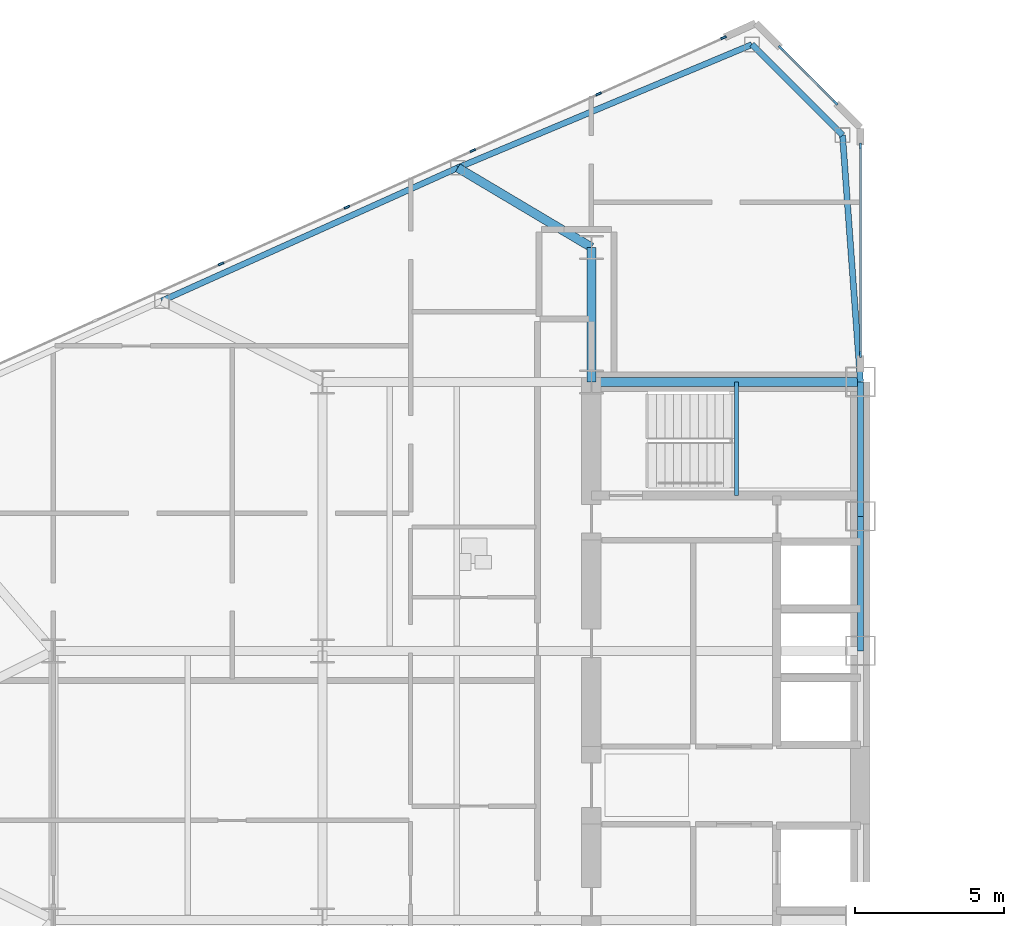
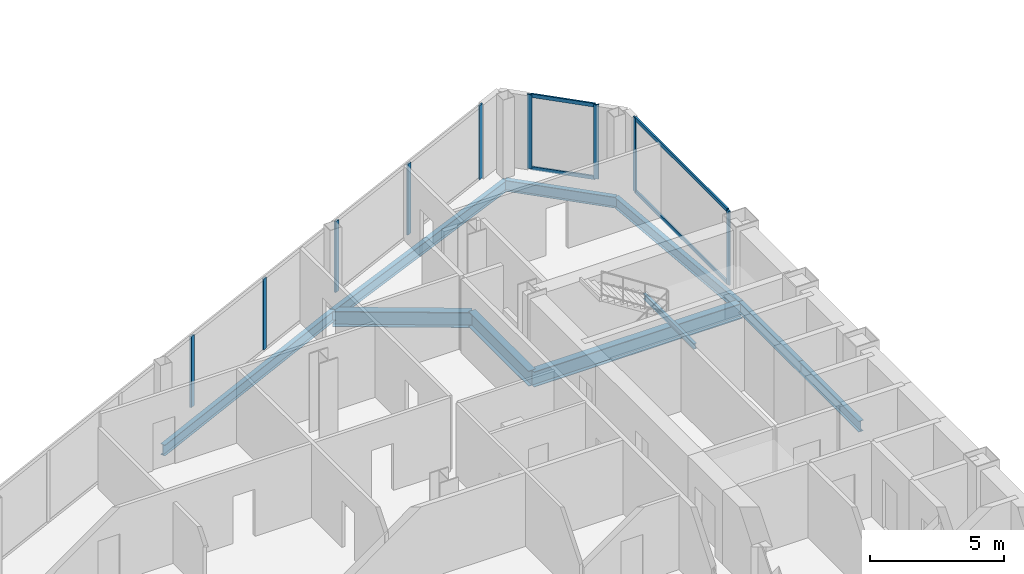
# One storey, part 9 of 27: 13 members, 10 beams, 3 elements without a shape of their own.
"""IFC4 building model written with IfcOpenShell, lengths in metres."""

from ifc_helpers import new_model, si_unit, direction, frame, origin, origin_2d, place, context, subcontext, project, spatial, rectangle, i_section, extrude, source, transform, mapped, material, layer, layer_set, material_profile, profile_set, type_object, type_shapes, element, aggregate, save


model = new_model("IFC4")

# Units and contexts
model_context = context("Model", 3, precision=1e-05, world=origin(), true_north=direction((0.0, 1.0)))
body_context = subcontext(model_context, "Body", "Model", "MODEL_VIEW")
ifc_project = project(units=[si_unit("LENGTHUNIT", "METRE"), si_unit("AREAUNIT", "SQUARE_METRE"), si_unit("VOLUMEUNIT", "CUBIC_METRE"), si_unit("PLANEANGLEUNIT", "RADIAN"), si_unit("MASSUNIT", "GRAM", prefix="KILO")], contexts=[model_context])

# Site, building, storey
site_placement = place(None, origin())
site = spatial("IfcSite", under=ifc_project, at=site_placement, CompositionType="ELEMENT")
building_placement = place(site_placement, origin())
building = spatial("IfcBuilding", under=site, at=building_placement, Name="Seokmaru Belvedere", CompositionType="ELEMENT")
storey_placement = place(building_placement, frame((0.0, 0.0, 106.800048828125)))
storey = spatial("IfcBuildingStorey", under=building, at=storey_placement, Name="L28", CompositionType="ELEMENT", Elevation=106.800048828125)

# Beams
ifc_material_1 = material(Name="Steel SM355 (355 MPa)", Category="steel")
ifc_material_profile_1 = material_profile(ifc_material_1, i_section(OverallWidth=0.199951171875, OverallDepth=0.5, WebThickness=0.010009765625, FlangeThickness=0.01611328125, at=origin_2d()), Name="H-500x200x10x16")
ifc_profile_set_1 = profile_set([ifc_material_profile_1], Name="Steel SM355 (355 MPa)")
beam_type_1 = type_object("IfcBeamType", Name="Perimeter Spandrel Beam H-500", PredefinedType="SPANDREL", material=ifc_profile_set_1)
shared_shape_1 = source(origin(), body_context, "Body", "SweptSolid", [
    extrude(i_section(OverallWidth=0.199951171875, OverallDepth=0.5, WebThickness=0.010009765625, FlangeThickness=0.01611328125, at=origin_2d()), origin(), (0.0, 0.0, 1.0), 4.5),
])
for number, where, z_axis, x_axis, name in (
    (1, (-27.5, 4.5, -0.469970703125), (0.0, 1.0, 0.0), (-1.0, 0.0, 0.0), "L28 W Portal Spine Spandrel 4"),
    (2, (-27.5, 9.0, -0.469970703125), (0.0, 1.0, 0.0), (-1.0, 0.0, 0.0), "L28 W Portal Spine Spandrel 5"),
):
    element("IfcBeam", number, at=place(storey_placement, frame(where, z_axis=z_axis, x_axis=x_axis)), inside=storey, type_object=beam_type_1, Name=name, PredefinedType="SPANDREL", context=body_context, shape_type="MappedRepresentation", body=[
        mapped(shared_shape_1, transform((0.0, 0.0, 0.0), scale=1.0)),
    ])
ifc_material_profile_2 = material_profile(ifc_material_1, i_section(OverallWidth=0.300048828125, OverallDepth=0.699951171875, WebThickness=0.012939453125, FlangeThickness=0.02392578125, at=origin_2d()), Name="H-700x300x13x24")
ifc_profile_set_2 = profile_set([ifc_material_profile_2], Name="Steel SM355 (355 MPa)")
beam_type_2 = type_object("IfcBeamType", Name="Primary Floor Girder H-700", PredefinedType="BEAM", material=ifc_profile_set_2)
shared_shape_2 = source(origin(), body_context, "Body", "SweptSolid", [
    extrude(i_section(OverallWidth=0.300048828125, OverallDepth=0.699951171875, WebThickness=0.012939453125, FlangeThickness=0.02392578125, at=origin_2d()), origin(), (0.0, 0.0, 1.0), 4.5),
])
beam_1_placement = place(storey_placement, frame((-36.5, 13.5, -0.570068359375), z_axis=(0.0, 1.0, 0.0), x_axis=(-1.0, 0.0, 0.0)))
element("IfcBeam", 3, at=beam_1_placement, inside=storey, type_object=beam_type_2, Name="L28 W Core Shoulder Girder N", PredefinedType="BEAM", context=body_context, shape_type="MappedRepresentation", body=[
    mapped(shared_shape_2, transform((0.0, 0.0, 0.0), scale=1.0)),
])
shared_shape_3 = source(origin(), body_context, "Body", "SweptSolid", [
    extrude(i_section(OverallWidth=0.300048828125, OverallDepth=0.699951171875, WebThickness=0.012939453125, FlangeThickness=0.02392578125, at=origin_2d()), origin(), (0.0, 0.0, 1.0), 9.0),
])
beam_2_placement = place(storey_placement, frame((-36.5, 13.5, -0.570068359375), z_axis=(1.0, 0.0, 0.0), x_axis=(0.0, 1.0, 0.0)))
element("IfcBeam", 4, at=beam_2_placement, inside=storey, type_object=beam_type_2, Name="L28 W Core Tie Girder 4", PredefinedType="BEAM", context=body_context, shape_type="MappedRepresentation", body=[
    mapped(shared_shape_3, transform((0.0, 0.0, 0.0), scale=1.0)),
])
shared_shape_4 = source(origin(), body_context, "Body", "SweptSolid", [
    extrude(i_section(OverallWidth=0.199951171875, OverallDepth=0.5, WebThickness=0.010009765625, FlangeThickness=0.01611328125, at=origin_2d()), origin(), (0.0, 0.0, 1.0), 10.66943359375),
])
beam_3_placement = place(storey_placement, frame((-31.13134765625, 24.782958984375, -0.469970703125), z_axis=(-0.922375393128, -0.386294750355, 0.0), x_axis=(0.386294750355, -0.922375393128, 0.0)))
element("IfcBeam", 5, at=beam_3_placement, inside=storey, type_object=beam_type_1, Name="L28 W Faceted Flank Spandrel N-1", PredefinedType="SPANDREL", context=body_context, shape_type="MappedRepresentation", body=[
    mapped(shared_shape_4, transform((0.0, 0.0, 0.0), scale=1.0)),
])
shared_shape_5 = source(origin(), body_context, "Body", "SweptSolid", [
    extrude(i_section(OverallWidth=0.199951171875, OverallDepth=0.5, WebThickness=0.010009765625, FlangeThickness=0.01611328125, at=origin_2d()), origin(), (0.0, 0.0, 1.0), 10.85888671875),
])
beam_4_placement = place(storey_placement, frame((-40.97265625, 20.661376953125, -0.469970703125), z_axis=(-0.911921505175, -0.410364677329, 0.0), x_axis=(0.410364677329, -0.911921505175, 0.0)))
element("IfcBeam", 6, at=beam_4_placement, inside=storey, type_object=beam_type_1, Name="L28 W Faceted Flank Spandrel N-2", PredefinedType="SPANDREL", context=body_context, shape_type="MappedRepresentation", body=[
    mapped(shared_shape_5, transform((0.0, 0.0, 0.0), scale=1.0)),
])
shared_shape_6 = source(origin(), body_context, "Body", "SweptSolid", [
    extrude(i_section(OverallWidth=0.199951171875, OverallDepth=0.5, WebThickness=0.010009765625, FlangeThickness=0.01611328125, at=origin_2d()), origin(), (0.0, 0.0, 1.0), 4.287109375),
])
beam_5_placement = place(storey_placement, frame((-31.13134765625, 24.782958984375, -0.469970703125), z_axis=(0.707078306132, -0.707135255094, 0.0), x_axis=(0.707135255094, 0.707078306132, 0.0)))
element("IfcBeam", 7, at=beam_5_placement, inside=storey, type_object=beam_type_1, Name="L28 W Shoulder Chamfer Spandrel N", PredefinedType="SPANDREL", context=body_context, shape_type="MappedRepresentation", body=[
    mapped(shared_shape_6, transform((0.0, 0.0, 0.0), scale=1.0)),
])
shared_shape_7 = source(origin(), body_context, "Body", "SweptSolid", [
    extrude(i_section(OverallWidth=0.199951171875, OverallDepth=0.5, WebThickness=0.010009765625, FlangeThickness=0.01611328125, at=origin_2d()), origin(), (0.0, 0.0, 1.0), 8.273193359375),
])
type_shapes(beam_type_1, [shared_shape_1, shared_shape_4, shared_shape_5, shared_shape_6, shared_shape_7])
beam_6_placement = place(storey_placement, frame((-28.10009765625, 21.75146484375, -0.469970703125), z_axis=(0.072534628348, -0.99736589459, 0.0), x_axis=(0.99736589459, 0.072534628348, 0.0)))
element("IfcBeam", 8, at=beam_6_placement, inside=storey, type_object=beam_type_1, Name="L28 W Shoulder Spine Spandrel N", PredefinedType="SPANDREL", context=body_context, shape_type="MappedRepresentation", body=[
    mapped(shared_shape_7, transform((0.0, 0.0, 0.0), scale=1.0)),
])
shared_shape_8 = source(origin(), body_context, "Body", "SweptSolid", [
    extrude(i_section(OverallWidth=0.300048828125, OverallDepth=0.699951171875, WebThickness=0.012939453125, FlangeThickness=0.02392578125, at=origin_2d()), origin(), (0.0, 0.0, 1.0), 5.20458984375),
])
type_shapes(beam_type_2, [shared_shape_2, shared_shape_3, shared_shape_8])
beam_7_placement = place(storey_placement, frame((-40.97265625, 20.661376953125, -0.570068359375), z_axis=(0.859370434188, -0.511353553662, 0.0), x_axis=(0.511353553662, 0.859370434188, 0.0)))
element("IfcBeam", 9, at=beam_7_placement, inside=storey, type_object=beam_type_2, Name="L28 W Flank Radial Floor Girder N-1", PredefinedType="BEAM", context=body_context, shape_type="MappedRepresentation", body=[
    mapped(shared_shape_8, transform((0.0, 0.0, 0.0), scale=1.0)),
])

# Curtain wall, members
ifc_material_2 = material(Name="Bronze Triple Insulating Glass", Category="glass")
ifc_layer = layer(ifc_material_2, 0.195068359375)
ifc_layer_set = layer_set([ifc_layer], Name="Bronze Triple Insulating Glass")
curtain_wall_type = type_object("IfcCurtainWallType", Name="Lower-Mid Tapered Curtain Wall System CW-3", PredefinedType="NOTDEFINED", material=ifc_layer_set)
curtain_wall_1_placement = place(storey_placement, origin())
curtain_wall_1 = element("IfcCurtainWall", 10, at=curtain_wall_1_placement, inside=storey, type_object=curtain_wall_type, Name="L28 Curtain Wall WSP_2", PredefinedType="NOTDEFINED")
ifc_material_3 = material(Name="Anodised Bronze Aluminium", Category="aluminium")
ifc_material_profile_3 = material_profile(ifc_material_3, rectangle(XDim=0.070068359375, YDim=0.195068359375, at=origin_2d()), Name="CW-M-70x195")
ifc_profile_set_3 = profile_set([ifc_material_profile_3], Name="Anodised Bronze Aluminium")
member_type_1 = type_object("IfcMemberType", Name="Bronze Unitised Mullion 70x195", PredefinedType="MULLION", material=ifc_profile_set_3)
shared_shape_9 = source(origin(), body_context, "Body", "SweptSolid", [
    extrude(rectangle(XDim=0.070068359375, YDim=0.195068359375, at=origin_2d()), origin(), (0.0, 0.0, 1.0), 3.3798828125),
])
member_1_placement = place(storey_placement, frame((-27.5, 14.4150390625, 0.0), z_axis=(0.0, 0.0, 1.0), x_axis=(-1.0, 0.0, 0.0)))
member_1 = element("IfcMember", 11, at=member_1_placement, type_object=member_type_1, Name="CW:L28:WSP_2 Mullion 1", PredefinedType="MULLION", context=body_context, shape_type="MappedRepresentation", body=[
    mapped(shared_shape_9, transform((0.0, 0.0, 0.0), scale=1.0)),
])
member_2_placement = place(storey_placement, frame((-27.5, 21.39501953125, 0.0), z_axis=(0.0, 0.0, 1.0), x_axis=(-1.0, 0.0, 0.0)))
member_2 = element("IfcMember", 12, at=member_2_placement, type_object=member_type_1, Name="CW:L28:WSP_2 Mullion 2", PredefinedType="MULLION", context=body_context, shape_type="MappedRepresentation", body=[
    mapped(shared_shape_9, transform((0.0, 0.0, 0.0), scale=1.0)),
])

curtain_wall_2_placement = place(storey_placement, origin())
curtain_wall_2 = element("IfcCurtainWall", 13, at=curtain_wall_2_placement, inside=storey, type_object=curtain_wall_type, Name="L28 Curtain Wall WF2", PredefinedType="NOTDEFINED")
member_3_placement = place(storey_placement, frame((-28.337890625, 22.837890625, 0.0), z_axis=(0.0, 0.0, 1.0), x_axis=(-0.707106781187, -0.707106781187, 0.0)))
member_3 = element("IfcMember", 14, at=member_3_placement, type_object=member_type_1, Name="CW:L28:WF2 Mullion 1", PredefinedType="MULLION", context=body_context, shape_type="MappedRepresentation", body=[
    mapped(shared_shape_9, transform((0.0, 0.0, 0.0), scale=1.0)),
])
member_4_placement = place(storey_placement, frame((-30.162109375, 24.662109375, 0.0), z_axis=(0.0, 0.0, 1.0), x_axis=(-0.707106781187, -0.707106781187, 0.0)))
member_4 = element("IfcMember", 15, at=member_4_placement, type_object=member_type_1, Name="CW:L28:WF2 Mullion 2", PredefinedType="MULLION", context=body_context, shape_type="MappedRepresentation", body=[
    mapped(shared_shape_9, transform((0.0, 0.0, 0.0), scale=1.0)),
])

# Curtain wall, member
curtain_wall_3_placement = place(storey_placement, origin())
curtain_wall_3 = element("IfcCurtainWall", 16, at=curtain_wall_3_placement, inside=storey, type_object=curtain_wall_type, Name="L28 Curtain Wall WF3", PredefinedType="NOTDEFINED")
member_5_placement = place(storey_placement, frame((-32.08056640625, 25.013671875, 0.0), z_axis=(0.0, 0.0, 1.0), x_axis=(0.41036554765, -0.91192111353, 0.0)))
member_5 = element("IfcMember", 17, at=member_5_placement, type_object=member_type_1, Name="CW:L28:WF3 Mullion 1", PredefinedType="MULLION", context=body_context, shape_type="MappedRepresentation", body=[
    mapped(shared_shape_9, transform((0.0, 0.0, 0.0), scale=1.0)),
])

# Member
ifc_material_profile_4 = material_profile(ifc_material_3, rectangle(XDim=0.070068359375, YDim=0.1650390625, at=origin_2d()), Name="CW-T-70x165")
ifc_profile_set_4 = profile_set([ifc_material_profile_4], Name="Anodised Bronze Aluminium")
member_type_2 = type_object("IfcMemberType", Name="Bronze Unitised Transom 70x165", PredefinedType="USERDEFINED", material=ifc_profile_set_4)
shared_shape_10 = source(origin(), body_context, "Body", "SweptSolid", [
    extrude(rectangle(XDim=0.070068359375, YDim=0.1650390625, at=origin_2d()), origin(), (0.0, 0.0, 1.0), 6.91015625),
])
member_6_placement = place(storey_placement, frame((-27.5, 14.449951171875, 0.034912109375), z_axis=(0.0, 1.0, 0.0), x_axis=(-1.0, 0.0, 0.0)))
member_6 = element("IfcMember", 18, at=member_6_placement, type_object=member_type_2, Name="CW:L28:WSP_2 Continuous Transom 1", ObjectType="TRANSOM", PredefinedType="USERDEFINED", context=body_context, shape_type="MappedRepresentation", body=[
    mapped(shared_shape_10, transform((0.0, 0.0, 0.0), scale=1.0)),
])

member_7_placement = place(storey_placement, frame((-27.5, 14.449951171875, 3.344970703125), z_axis=(0.0, 1.0, 0.0), x_axis=(-1.0, 0.0, 0.0)))
member_7 = element("IfcMember", 19, at=member_7_placement, type_object=member_type_2, Name="CW:L28:WSP_2 Continuous Transom 2", ObjectType="TRANSOM", PredefinedType="USERDEFINED", context=body_context, shape_type="MappedRepresentation", body=[
    mapped(shared_shape_10, transform((0.0, 0.0, 0.0), scale=1.0)),
])

aggregate(curtain_wall_1, [member_1, member_2, member_6, member_7])

shared_shape_11 = source(origin(), body_context, "Body", "SweptSolid", [
    extrude(rectangle(XDim=0.070068359375, YDim=0.1650390625, at=origin_2d()), origin(), (0.0, 0.0, 1.0), 2.509521484375),
])
type_shapes(member_type_2, [shared_shape_10, shared_shape_11])
member_8_placement = place(storey_placement, frame((-28.36279296875, 22.86279296875, 0.034912109375), z_axis=(-0.707106781187, 0.707106781187, 0.0), x_axis=(-0.707106781187, -0.707106781187, 0.0)))
member_8 = element("IfcMember", 20, at=member_8_placement, type_object=member_type_2, Name="CW:L28:WF2 Continuous Transom 1", ObjectType="TRANSOM", PredefinedType="USERDEFINED", context=body_context, shape_type="MappedRepresentation", body=[
    mapped(shared_shape_11, transform((0.0, 0.0, 0.0), scale=1.0)),
])

member_9_placement = place(storey_placement, frame((-28.36279296875, 22.86279296875, 3.344970703125), z_axis=(-0.707106781187, 0.707106781187, 0.0), x_axis=(-0.707106781187, -0.707106781187, 0.0)))
member_9 = element("IfcMember", 21, at=member_9_placement, type_object=member_type_2, Name="CW:L28:WF2 Continuous Transom 2", ObjectType="TRANSOM", PredefinedType="USERDEFINED", context=body_context, shape_type="MappedRepresentation", body=[
    mapped(shared_shape_11, transform((0.0, 0.0, 0.0), scale=1.0)),
])

aggregate(curtain_wall_2, [member_3, member_4, member_8, member_9])

shared_shape_12 = source(origin(), body_context, "Body", "SweptSolid", [
    extrude(rectangle(XDim=0.070068359375, YDim=0.195068359375, at=origin_2d()), origin(), (0.0, 0.0, 1.0), 3.239990234375),
])
type_shapes(member_type_1, [shared_shape_9, shared_shape_12])
member_10_placement = place(storey_placement, frame((-36.260009765625, 23.133056640625, 0.070068359375), z_axis=(0.0, 0.0, 1.0), x_axis=(0.41036554765, -0.91192111353, 0.0)))
member_10 = element("IfcMember", 22, at=member_10_placement, type_object=member_type_1, Name="CW:L28:WF3 Mullion 2", PredefinedType="MULLION", context=body_context, shape_type="MappedRepresentation", body=[
    mapped(shared_shape_12, transform((0.0, 0.0, 0.0), scale=1.0)),
])

member_11_placement = place(storey_placement, frame((-40.471435546875, 21.23779296875, 0.070068359375), z_axis=(0.0, 0.0, 1.0), x_axis=(0.41036554765, -0.91192111353, 0.0)))
member_11 = element("IfcMember", 23, at=member_11_placement, type_object=member_type_1, Name="CW:L28:WF3 Mullion 3", PredefinedType="MULLION", context=body_context, shape_type="MappedRepresentation", body=[
    mapped(shared_shape_12, transform((0.0, 0.0, 0.0), scale=1.0)),
])

member_12_placement = place(storey_placement, frame((-44.682861328125, 19.3427734375, 0.070068359375), z_axis=(0.0, 0.0, 1.0), x_axis=(0.41036554765, -0.91192111353, 0.0)))
member_12 = element("IfcMember", 24, at=member_12_placement, type_object=member_type_1, Name="CW:L28:WF3 Mullion 4", PredefinedType="MULLION", context=body_context, shape_type="MappedRepresentation", body=[
    mapped(shared_shape_12, transform((0.0, 0.0, 0.0), scale=1.0)),
])

member_13_placement = place(storey_placement, frame((-48.894287109375, 17.447509765625, 0.070068359375), z_axis=(0.0, 0.0, 1.0), x_axis=(0.41036554765, -0.91192111353, 0.0)))
member_13 = element("IfcMember", 25, at=member_13_placement, type_object=member_type_1, Name="CW:L28:WF3 Mullion 5", PredefinedType="MULLION", context=body_context, shape_type="MappedRepresentation", body=[
    mapped(shared_shape_12, transform((0.0, 0.0, 0.0), scale=1.0)),
])

aggregate(curtain_wall_3, [member_5, member_10, member_11, member_12, member_13])

# Beam
ifc_material_profile_5 = material_profile(ifc_material_1, i_section(OverallWidth=0.125, OverallDepth=0.25, WebThickness=0.006103515625, FlangeThickness=0.009033203125, at=origin_2d()), Name="H-250x125x6x9")
ifc_profile_set_5 = profile_set([ifc_material_profile_5], Name="Steel SM355 (355 MPa)")
beam_type_3 = type_object("IfcBeamType", Name="Stair Mid-Landing Support Beam H-250", PredefinedType="JOIST", material=ifc_profile_set_5)
shared_shape_13 = source(origin(), body_context, "Body", "SweptSolid", [
    extrude(i_section(OverallWidth=0.125, OverallDepth=0.25, WebThickness=0.006103515625, FlangeThickness=0.009033203125, at=origin_2d()), origin(), (0.0, 0.0, 1.0), 3.800048828125),
])
type_shapes(beam_type_3, [shared_shape_13])
beam_8_placement = place(storey_placement, frame((-31.64990234375, 9.699951171875, 1.474853515625), z_axis=(0.0, 1.0, 0.0), x_axis=(-1.0, 0.0, 0.0)))
element("IfcBeam", 26, at=beam_8_placement, inside=storey, type_object=beam_type_3, Name="L28 Stair ST-W2 Mid-Landing Support Beam 1", PredefinedType="JOIST", context=body_context, shape_type="MappedRepresentation", body=[
    mapped(shared_shape_13, transform((0.0, 0.0, 0.0), scale=1.0)),
])

save(model, "model.ifc")
